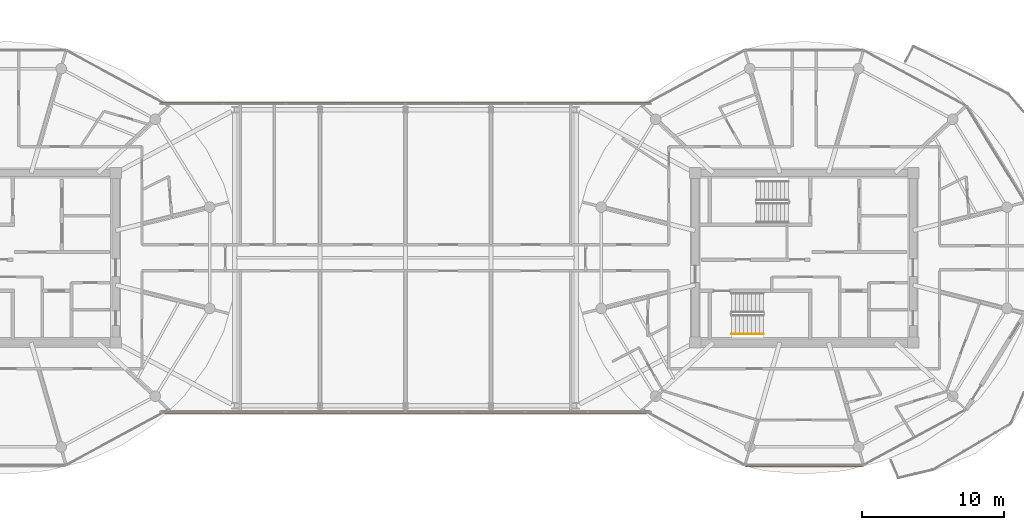
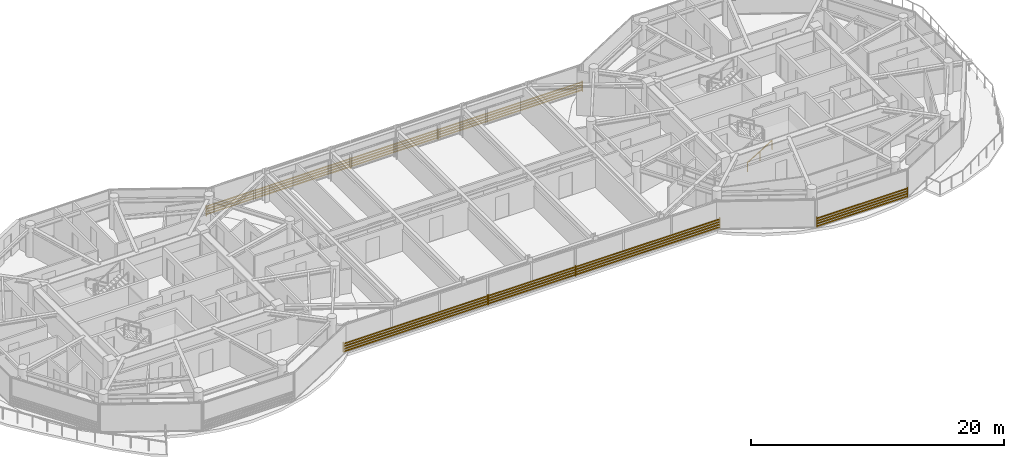
# One storey, part 22 of 23: 7 shading devices, 1 railing.
"""IFC4 building model written with IfcOpenShell, lengths in metres."""

from ifc_helpers import new_model, si_unit, direction, frame, origin, origin_2d, place, context, subcontext, project, spatial, rectangle, extrude, source, transform, mapped, material, type_object, type_shapes, element, save


model = new_model("IFC4")

# Units and contexts
model_context = context("Model", 3, precision=1e-05, world=origin(), true_north=direction((0.0, 1.0)))
body_context = subcontext(model_context, "Body", "Model", "MODEL_VIEW")
ifc_project = project(units=[si_unit("LENGTHUNIT", "METRE"), si_unit("AREAUNIT", "SQUARE_METRE"), si_unit("VOLUMEUNIT", "CUBIC_METRE"), si_unit("PLANEANGLEUNIT", "RADIAN"), si_unit("MASSUNIT", "GRAM", prefix="KILO")], contexts=[model_context])

# Site, building, storey
site_placement = place(None, origin())
site = spatial("IfcSite", under=ifc_project, at=site_placement, CompositionType="ELEMENT")
building_placement = place(site_placement, origin())
building = spatial("IfcBuilding", under=site, at=building_placement, Name="Norrkilde Senior Care Towers", CompositionType="ELEMENT")
storey_placement = place(building_placement, frame((0.0, 0.0, 207.800048828125)))
storey = spatial("IfcBuildingStorey", under=building, at=storey_placement, Name="L64", CompositionType="ELEMENT", Elevation=207.800048828125)

# Railing
ifc_material_1 = material(Name="Nordic Ash Timber", Category="wood")
railing_type = type_object("IfcRailingType", Name="Wall and Stair Handrail 900", PredefinedType="HANDRAIL", material=ifc_material_1)
railing_placement = place(storey_placement, frame((22.89990234375, -5.35009765625, 0.16943359375)))
element("IfcRailing", 1, at=railing_placement, inside=storey, type_object=railing_type, Name="L64 ST-E2 stair handrail 1", PredefinedType="HANDRAIL", context=body_context, shape_type="SweptSolid", body=[
    extrude(rectangle(XDim=0.048095703125, YDim=0.048095703125, at=origin_2d()), frame((0.0, 0.0, 0.8759765625), z_axis=(0.855553338991, 0.0, 0.51771467445), x_axis=(0.0, 1.0, 0.0)), (0.0, 0.0, 1.0), 2.6181640625),
    extrude(rectangle(XDim=0.0419921875, YDim=0.0419921875, at=origin_2d()), origin(), (0.0, 0.0, 1.0), 0.849853515625),
    extrude(rectangle(XDim=0.0419921875, YDim=0.0419921875, at=origin_2d()), frame((1.1201171875, 0.0, 0.677734375)), (0.0, 0.0, 1.0), 0.849853515625),
    extrude(rectangle(XDim=0.0419921875, YDim=0.0419921875, at=origin_2d()), frame((2.239990234375, 0.0, 1.35546875)), (0.0, 0.0, 1.0), 0.849853515625),
])

# Shading devices
ifc_material_2 = material(Name="Architectural Terracotta", Category="masonry")
shading_device_type = type_object("IfcShadingDeviceType", Name="Horizontal Terracotta Baguette Rack", PredefinedType="USERDEFINED", material=ifc_material_2)
shared_shape_1 = source(origin(), body_context, "Body", "SweptSolid", [
    extrude(rectangle(XDim=0.070068359375, YDim=0.110107421875, at=origin_2d()), frame((0.0, 0.090087890625, 0.125), z_axis=(1.0, 0.0, 0.0), x_axis=(0.0, 1.0, 0.0)), (0.0, 0.0, 1.0), 8.32373046875),
    extrude(rectangle(XDim=0.070068359375, YDim=0.110107421875, at=origin_2d()), frame((0.0, 0.090087890625, 0.375), z_axis=(1.0, 0.0, 0.0), x_axis=(0.0, 1.0, 0.0)), (0.0, 0.0, 1.0), 8.32373046875),
    extrude(rectangle(XDim=0.070068359375, YDim=0.110107421875, at=origin_2d()), frame((0.0, 0.090087890625, 0.625), z_axis=(1.0, 0.0, 0.0), x_axis=(0.0, 1.0, 0.0)), (0.0, 0.0, 1.0), 8.32373046875),
    extrude(rectangle(XDim=0.070068359375, YDim=0.110107421875, at=origin_2d()), frame((0.0, 0.090087890625, 0.875), z_axis=(1.0, 0.0, 0.0), x_axis=(0.0, 1.0, 0.0)), (0.0, 0.0, 1.0), 8.32373046875),
    extrude(rectangle(XDim=0.050048828125, YDim=0.1552734375, at=origin_2d()), frame((0.02490234375, 0.047607421875, 0.0)), (0.0, 0.0, 1.0), 1.0),
    extrude(rectangle(XDim=0.050048828125, YDim=0.1552734375, at=origin_2d()), frame((8.298828125, 0.047607421875, 0.0)), (0.0, 0.0, 1.0), 1.0),
])
shading_device_placement = place(storey_placement, frame((32.161865234375, -14.566162109375, 0.079833984375), z_axis=(0.0, 0.0, 1.0), x_axis=(-1.0, 0.0, 0.0)))
element("IfcShadingDevice", 2, at=shading_device_placement, inside=storey, type_object=shading_device_type, Name="L64 Drum E Terracotta Baguette Screen 08", ObjectType="BAGUETTE", PredefinedType="USERDEFINED", context=body_context, shape_type="MappedRepresentation", body=[
    mapped(shared_shape_1, transform((0.0, 0.0, 0.0), x_axis=(1.0, 0.0, 0.0), y_axis=(0.0, 1.0, 0.0), z_axis=(0.0, 0.0, 1.0), scale=1.0)),
])
shared_shape_2 = source(origin(), body_context, "Body", "SweptSolid", [
    extrude(rectangle(XDim=0.070068359375, YDim=0.110107421875, at=origin_2d()), frame((0.0, 0.090087890625, 0.125), z_axis=(1.0, 0.0, 0.0), x_axis=(0.0, 1.0, 0.0)), (0.0, 0.0, 1.0), 13.199951171875),
    extrude(rectangle(XDim=0.070068359375, YDim=0.110107421875, at=origin_2d()), frame((0.0, 0.090087890625, 0.375), z_axis=(1.0, 0.0, 0.0), x_axis=(0.0, 1.0, 0.0)), (0.0, 0.0, 1.0), 13.199951171875),
    extrude(rectangle(XDim=0.070068359375, YDim=0.110107421875, at=origin_2d()), frame((0.0, 0.090087890625, 0.625), z_axis=(1.0, 0.0, 0.0), x_axis=(0.0, 1.0, 0.0)), (0.0, 0.0, 1.0), 13.199951171875),
    extrude(rectangle(XDim=0.070068359375, YDim=0.110107421875, at=origin_2d()), frame((0.0, 0.090087890625, 0.875), z_axis=(1.0, 0.0, 0.0), x_axis=(0.0, 1.0, 0.0)), (0.0, 0.0, 1.0), 13.199951171875),
    extrude(rectangle(XDim=0.050048828125, YDim=0.1552734375, at=origin_2d()), frame((0.02490234375, 0.047607421875, 0.0)), (0.0, 0.0, 1.0), 1.0),
    extrude(rectangle(XDim=0.050048828125, YDim=0.1552734375, at=origin_2d()), frame((13.1748046875, 0.047607421875, 0.0)), (0.0, 0.0, 1.0), 1.0),
])
for number, where, z_axis, x_axis, name in (
    (3, (-17.199951171875, 10.820068359375, 0.079833984375), (0.0, 0.0, 1.0), (1.0, 0.0, 0.0), "L64 Bridge North Baguette Screen 1"),
    (4, (4.0, 10.820068359375, 0.079833984375), (0.0, 0.0, 1.0), (1.0, 0.0, 0.0), "L64 Bridge North Baguette Screen 3"),
    (5, (17.199951171875, -10.820068359375, 0.079833984375), (0.0, 0.0, 1.0), (-1.0, 0.0, 0.0), "L64 Bridge South Baguette Screen 1"),
    (6, (-4.0, -10.820068359375, 0.079833984375), (0.0, 0.0, 1.0), (-1.0, 0.0, 0.0), "L64 Bridge South Baguette Screen 3"),
):
    element("IfcShadingDevice", number, at=place(storey_placement, frame(where, z_axis=z_axis, x_axis=x_axis)), inside=storey, type_object=shading_device_type, Name=name, ObjectType="BAGUETTE", PredefinedType="USERDEFINED", context=body_context, shape_type="MappedRepresentation", body=[
        mapped(shared_shape_2, transform((0.0, 0.0, 0.0), x_axis=(1.0, 0.0, 0.0), y_axis=(0.0, 1.0, 0.0), z_axis=(0.0, 0.0, 1.0), scale=1.0)),
    ])
shared_shape_3 = source(origin(), body_context, "Body", "SweptSolid", [
    extrude(rectangle(XDim=0.070068359375, YDim=0.110107421875, at=origin_2d()), frame((0.0, 0.090087890625, 0.125), z_axis=(1.0, 0.0, 0.0), x_axis=(0.0, 1.0, 0.0)), (0.0, 0.0, 1.0), 8.0),
    extrude(rectangle(XDim=0.070068359375, YDim=0.110107421875, at=origin_2d()), frame((0.0, 0.090087890625, 0.375), z_axis=(1.0, 0.0, 0.0), x_axis=(0.0, 1.0, 0.0)), (0.0, 0.0, 1.0), 8.0),
    extrude(rectangle(XDim=0.070068359375, YDim=0.110107421875, at=origin_2d()), frame((0.0, 0.090087890625, 0.625), z_axis=(1.0, 0.0, 0.0), x_axis=(0.0, 1.0, 0.0)), (0.0, 0.0, 1.0), 8.0),
    extrude(rectangle(XDim=0.070068359375, YDim=0.110107421875, at=origin_2d()), frame((0.0, 0.090087890625, 0.875), z_axis=(1.0, 0.0, 0.0), x_axis=(0.0, 1.0, 0.0)), (0.0, 0.0, 1.0), 8.0),
    extrude(rectangle(XDim=0.050048828125, YDim=0.1552734375, at=origin_2d()), frame((0.02490234375, 0.047607421875, 0.0)), (0.0, 0.0, 1.0), 1.0),
    extrude(rectangle(XDim=0.050048828125, YDim=0.1552734375, at=origin_2d()), frame((7.97509765625, 0.047607421875, 0.0)), (0.0, 0.0, 1.0), 1.0),
])
type_shapes(shading_device_type, [shared_shape_1, shared_shape_2, shared_shape_3])
for number, where, z_axis, x_axis, name in (
    (7, (-4.0, 10.820068359375, 0.079833984375), (0.0, 0.0, 1.0), (1.0, 0.0, 0.0), "L64 Bridge North Baguette Screen 2"),
    (8, (4.0, -10.820068359375, 0.079833984375), (0.0, 0.0, 1.0), (-1.0, 0.0, 0.0), "L64 Bridge South Baguette Screen 2"),
):
    element("IfcShadingDevice", number, at=place(storey_placement, frame(where, z_axis=z_axis, x_axis=x_axis)), inside=storey, type_object=shading_device_type, Name=name, ObjectType="BAGUETTE", PredefinedType="USERDEFINED", context=body_context, shape_type="MappedRepresentation", body=[
        mapped(shared_shape_3, transform((0.0, 0.0, 0.0), x_axis=(1.0, 0.0, 0.0), y_axis=(0.0, 1.0, 0.0), z_axis=(0.0, 0.0, 1.0), scale=1.0)),
    ])

save(model, "model.ifc")
